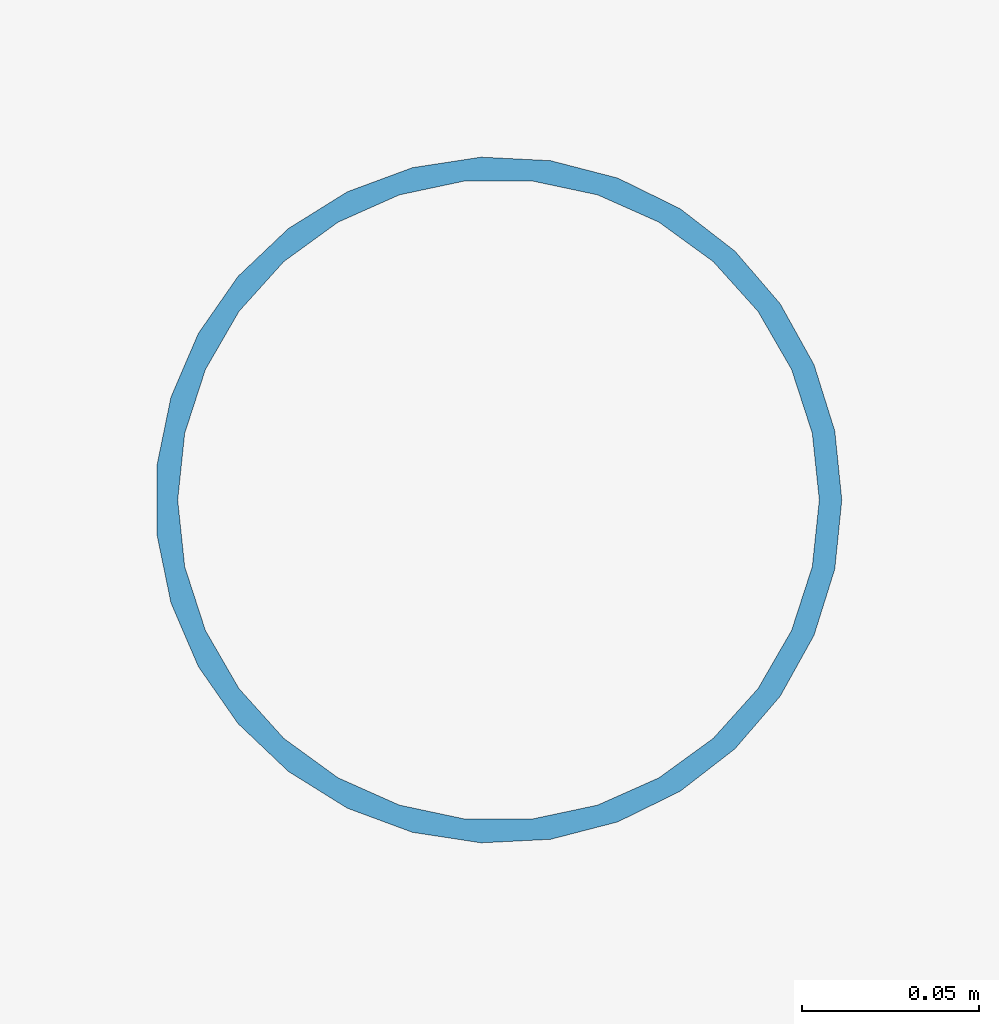
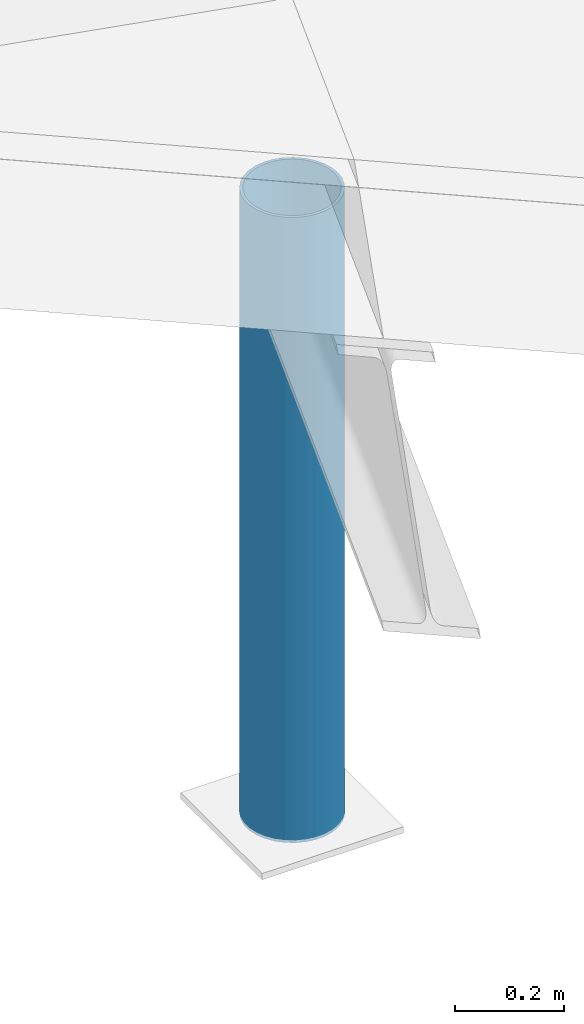
# One storey, part 56 of 107: 1 member.
"""IFC4 building model written with IfcOpenShell, lengths in metres."""

import ifcopenshell
import ifcopenshell.guid

model = None  # the IFC model being written
_history = None  # IfcOwnerHistory: only IFC2X3 demands one
_inside = {}  # id of a spatial element -> (the spatial element, [elements in it])
_under = {}  # id of a project, library or spatial element -> (it, [spatial elements below it])
_declared = {}  # id of a project -> (the project, [libraries it declares])
_typed = {}  # id of a type object -> (the type object, [elements of that type])
_made_of = {}  # id of a material, layer set ... -> (it, [elements and type objects made of it])


def new_model(schema):
    """Start an empty IFC model of exactly this schema.

    Asked for "IFC4X3", IfcOpenShell would pick the latest addendum, in which some entities
    have other attributes; the version numbers below select the first issue.
    IFC2X3 requires an IfcOwnerHistory on every rooted entity: one is made here for all.
    """
    global model, _history
    if schema == "IFC4X3":
        model = ifcopenshell.file(schema_version=(4, 3, 0, 0))
    else:
        model = ifcopenshell.file(schema=schema)
    _inside.clear()
    _under.clear()
    _declared.clear()
    _typed.clear()
    _made_of.clear()
    _history = None
    if model.schema == "IFC2X3":
        org = make("IfcOrganization", Name="unknown")
        user = make(
            "IfcPersonAndOrganization",
            ThePerson=make("IfcPerson", FamilyName="unknown"),
            TheOrganization=org,
        )
        app = make(
            "IfcApplication",
            ApplicationDeveloper=org,
            Version="unknown",
            ApplicationFullName="unknown",
            ApplicationIdentifier="unknown",
        )
        _history = make(
            "IfcOwnerHistory",
            OwningUser=user,
            OwningApplication=app,
            ChangeAction="ADDED",
            CreationDate=0,
        )
    return model


def make(cls, **values):
    """One entity of the class cls with the attributes given. An attribute that is None is left unset."""
    return model.create_entity(
        cls, **{name: value for name, value in values.items() if value is not None}
    )


def rooted(cls, **values):
    """An entity with a GlobalId (a new one), such as an element, a storey or a relation."""
    return make(cls, GlobalId=ifcopenshell.guid.new(), OwnerHistory=_history, **values)


def si_unit(unit_type, name, prefix=None):
    """IfcSIUnit, for example si_unit("LENGTHUNIT", "METRE", prefix="MILLI")."""
    return make("IfcSIUnit", UnitType=unit_type, Prefix=prefix, Name=name)


def derived_unit(unit_type, elements):
    """IfcDerivedUnit: a product of units, each with its exponent."""
    return make(
        "IfcDerivedUnit",
        Elements=[
            make("IfcDerivedUnitElement", Unit=unit, Exponent=power)
            for unit, power in elements
        ],
        UnitType=unit_type,
    )


def assignment(units):
    """IfcUnitAssignment: the units of a project."""
    return None if units is None else make("IfcUnitAssignment", Units=units)


def point(xyz):
    """IfcCartesianPoint."""
    return None if xyz is None else make("IfcCartesianPoint", Coordinates=xyz)


def direction(xyz):
    """IfcDirection."""
    return None if xyz is None else make("IfcDirection", DirectionRatios=xyz)


def frame(location, z_axis=None, x_axis=None):
    """IfcAxis2Placement3D, a coordinate frame: its origin and axes. An axis left out is left unset."""
    return make(
        "IfcAxis2Placement3D",
        Location=point(location),
        Axis=direction(z_axis),
        RefDirection=direction(x_axis),
    )


def frame_2d(location, x_axis=None):
    """IfcAxis2Placement2D, a coordinate frame in the plane: its origin and x axis."""
    return make(
        "IfcAxis2Placement2D", Location=point(location), RefDirection=direction(x_axis)
    )


def origin():
    """The frame at (0, 0, 0) with its axes left unset."""
    return frame((0.0, 0.0, 0.0))


def origin_2d():
    """The frame at (0, 0) in the plane with its x axis left unset."""
    return frame_2d((0.0, 0.0))


def place(relative_to, where):
    """IfcLocalPlacement: puts the frame where relative to a parent placement (None: the world)."""
    return make(
        "IfcLocalPlacement", PlacementRelTo=relative_to, RelativePlacement=where
    )


def context(
    kind, dimensions, precision=None, world=None, true_north=None, identifier=None
):
    """IfcGeometricRepresentationContext, for example the 3D "Model" context."""
    return make(
        "IfcGeometricRepresentationContext",
        ContextIdentifier=identifier,
        ContextType=kind,
        CoordinateSpaceDimension=dimensions,
        Precision=precision,
        WorldCoordinateSystem=world,
        TrueNorth=true_north,
    )


def subcontext(parent, identifier, kind, view, scale=None):
    """IfcGeometricRepresentationSubContext, for example "Body" below "Model"."""
    return make(
        "IfcGeometricRepresentationSubContext",
        ContextIdentifier=identifier,
        ContextType=kind,
        ParentContext=parent,
        TargetScale=scale,
        TargetView=view,
    )


def project(units=None, contexts=None):
    """IfcProject with its units and contexts."""
    return rooted(
        "IfcProject",
        Name="project",
        RepresentationContexts=contexts,
        UnitsInContext=assignment(units),
    )


def spatial(cls, under=None, at=None, **own):
    """A site, building, storey or space (cls), placed at a placement, below another one or the project."""
    s = rooted(cls, ObjectPlacement=at, **own)
    if under is not None:
        _under.setdefault(under.id(), (under, []))[1].append(s)
    return s


def profile(cls, at=None, kind="AREA", **sizes):
    """A parametric profile (cls). Its sizes go by their IFC names, for example OverallWidth=200.0."""
    return make(cls, ProfileType=kind, Position=at, **sizes)


def hollow_circle(**sizes):
    """IfcCircleHollowProfileDef."""
    return profile("IfcCircleHollowProfileDef", **sizes)


def extrude(swept, where, along, depth):
    """IfcExtrudedAreaSolid: the profile swept, set in the frame where, extruded along a direction by depth."""
    return make(
        "IfcExtrudedAreaSolid",
        SweptArea=swept,
        Position=where,
        ExtrudedDirection=direction(along),
        Depth=depth,
    )


def shape(context_of_items, identifier, shape_type, items):
    """IfcShapeRepresentation: the items that make up one representation, for example the "Body"."""
    return make(
        "IfcShapeRepresentation",
        ContextOfItems=context_of_items,
        RepresentationIdentifier=identifier,
        RepresentationType=shape_type,
        Items=items,
    )


def material(Name=None, Category=None):
    """IfcMaterial."""
    return make("IfcMaterial", Name=Name, Category=Category)


def material_profile(
    of_material, cross_section, Name=None, Category=None, Priority=None
):
    """IfcMaterialProfile: a cross section and its material."""
    return make(
        "IfcMaterialProfile",
        Name=Name,
        Material=of_material,
        Profile=cross_section,
        Priority=Priority,
        Category=Category,
    )


def profile_set(profiles, Name=None, composite=None):
    """IfcMaterialProfileSet."""
    return make(
        "IfcMaterialProfileSet",
        Name=Name,
        MaterialProfiles=profiles,
        CompositeProfile=composite,
    )


def made_of(thing, what):
    """Note that an element or type object is made of a material, layer set ...; save() writes the relation."""
    if what is not None:
        _made_of.setdefault(what.id(), (what, []))[1].append(thing)
    return thing


def type_object(cls, material=None, **own):
    """A type object (cls), such as IfcWallType, which elements share."""
    return made_of(rooted(cls, **own), material)


def element(
    cls,
    number,
    at=None,
    inside=None,
    cuts=None,
    type_object=None,
    material=None,
    context=None,
    identifier="Body",
    shape_type=None,
    held_by="IfcProductDefinitionShape",
    body=None,
    shapes=None,
    **own,
):
    """One element of the class cls, such as IfcWall. Its Tag is "e" and its number.

    at: its placement. inside: the storey or other place that contains it. cuts: it is an
    opening in that element (IfcRelVoidsElement). A single representation is given by context,
    identifier, shape_type and body (its items); several are given by shapes. held_by: the class
    of the entity that holds the representations. save() writes the other relations.
    """
    e = rooted(cls, Tag="e%d" % number, ObjectPlacement=at, **own)
    if body is not None:
        shapes = [shape(context, identifier, shape_type, body)]
    if shapes is not None:
        e.Representation = make(held_by, Representations=shapes)
    if inside is not None:
        _inside.setdefault(inside.id(), (inside, []))[1].append(e)
    if cuts is not None:
        rooted(
            "IfcRelVoidsElement", RelatingBuildingElement=cuts, RelatedOpeningElement=e
        )
    if type_object is not None:
        _typed.setdefault(type_object.id(), (type_object, []))[1].append(e)
    return made_of(e, material)


def aggregate(whole, parts):
    """IfcRelAggregates: a whole, such as a stair, and the parts it consists of."""
    return rooted("IfcRelAggregates", RelatingObject=whole, RelatedObjects=parts)


def save(model, path):
    """Write the relations noted so far, then the file.

    IfcRelAggregates (storeys below a building ...), IfcRelContainedInSpatialStructure (elements
    in a storey), IfcRelDefinesByType, IfcRelAssociatesMaterial and IfcRelDeclares: one each for
    every whole, place, type object, material and project.
    """
    for whole, parts in _under.values():
        aggregate(whole, parts)
    for where, things in _inside.values():
        rooted(
            "IfcRelContainedInSpatialStructure",
            RelatedElements=things,
            RelatingStructure=where,
        )
    for kind, things in _typed.values():
        rooted("IfcRelDefinesByType", RelatedObjects=things, RelatingType=kind)
    for what, things in _made_of.values():
        rooted("IfcRelAssociatesMaterial", RelatedObjects=things, RelatingMaterial=what)
    for by, libraries in _declared.values():
        rooted("IfcRelDeclares", RelatingContext=by, RelatedDefinitions=libraries)
    model.write(path)


model = new_model("IFC4")

# Units and contexts
model_context = context("Model", 3, precision=1e-05, world=origin(), true_north=direction((0.0, 1.0)))
body_context = subcontext(model_context, "Body", "Model", "MODEL_VIEW")
ifc_project = project(units=[si_unit("LENGTHUNIT", "METRE"), si_unit("AREAUNIT", "SQUARE_METRE"), si_unit("VOLUMEUNIT", "CUBIC_METRE"), si_unit("PLANEANGLEUNIT", "RADIAN"), si_unit("MASSUNIT", "GRAM", prefix="KILO"), si_unit("THERMODYNAMICTEMPERATUREUNIT", "KELVIN"), si_unit("TIMEUNIT", "SECOND"), derived_unit("THERMALTRANSMITTANCEUNIT", [(si_unit("MASSUNIT", "GRAM", prefix="KILO"), 1), (si_unit("THERMODYNAMICTEMPERATUREUNIT", "KELVIN"), -1), (si_unit("TIMEUNIT", "SECOND"), -3)])], contexts=[model_context])

# Site, building, storey
site_placement = place(None, origin())
site = spatial("IfcSite", under=ifc_project, at=site_placement, CompositionType="ELEMENT")
building_placement = place(site_placement, origin())
building = spatial("IfcBuilding", under=site, at=building_placement, Name="Cambertide Market Hall", CompositionType="ELEMENT")
storey_placement = place(building_placement, frame((0.0, 0.0, 18.300048828125)))
storey = spatial("IfcBuildingStorey", under=building, at=storey_placement, Name="RF", CompositionType="ELEMENT", Elevation=18.300048828125)

# Member
ifc_material = material(Name="Steel S355", Category="steel")
ifc_material_profile = material_profile(ifc_material, hollow_circle(Radius=0.096923828125, WallThickness=0.00634765625, at=origin_2d()), Name="CHS 193.7x6.3")
ifc_profile_set = profile_set([ifc_material_profile], Name="Steel S355")
member_type = type_object("IfcMemberType", Name="Structural Brace CHS 193.7x6.3", PredefinedType="BRACE", material=ifc_profile_set)
member_placement = place(storey_placement, frame((143.955810546875, 111.88427734375, -0.400146484375), z_axis=(0.0, 0.0, 1.0), x_axis=(1.0, 0.0, 0.0)))
element("IfcMember", 1, at=member_placement, inside=storey, type_object=member_type, Name="KP-V4-5-202", PredefinedType="BRACE", context=body_context, shape_type="SweptSolid", body=[
    extrude(hollow_circle(Radius=0.096923828125, WallThickness=0.00634765625, at=origin_2d()), origin(), (0.0, 0.0, 1.0), 1.4033203125),
])

save(model, "model.ifc")
